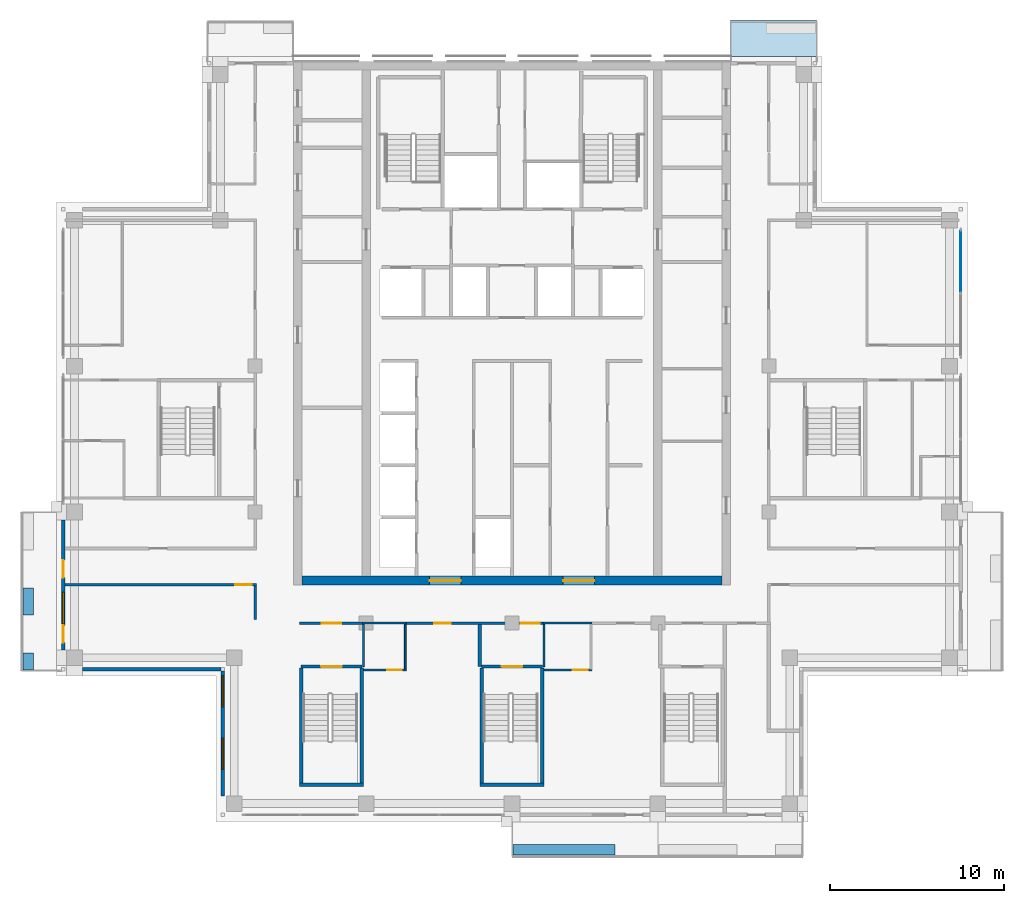
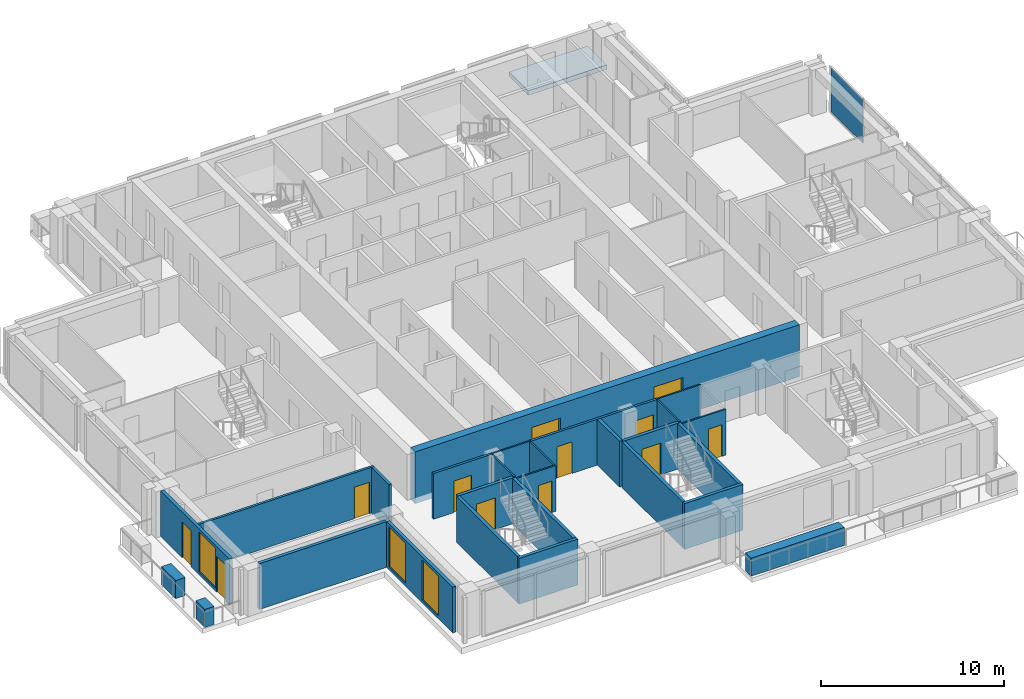
# One storey, part 8 of 17: 27 walls, 12 doors, 3 windows, 1 plate, 1 slab, 15 openings, 1 element without a shape of its own.
"""IFC4 building model written with IfcOpenShell, lengths in metres."""

from ifc_helpers import new_model, si_unit, direction, frame, frame_2d, origin, origin_2d, place, context, subcontext, project, spatial, polyline, rectangle, outline, extrude, material, layer, layer_set, type_object, element, fill, aggregate, save


model = new_model("IFC4")

# Units and contexts
model_context = context("Model", 3, precision=1e-05, world=origin(), true_north=direction((0.0, 1.0)))
body_context = subcontext(model_context, "Body", "Model", "MODEL_VIEW")
ifc_project = project(units=[si_unit("LENGTHUNIT", "METRE"), si_unit("AREAUNIT", "SQUARE_METRE"), si_unit("VOLUMEUNIT", "CUBIC_METRE"), si_unit("PLANEANGLEUNIT", "RADIAN"), si_unit("MASSUNIT", "GRAM", prefix="KILO")], contexts=[model_context])

# Site, building, storey
site_placement = place(None, origin())
site = spatial("IfcSite", under=ifc_project, at=site_placement, CompositionType="ELEMENT")
building_placement = place(site_placement, origin())
building = spatial("IfcBuilding", under=site, at=building_placement, Name="Vermilion Ogive Tower", CompositionType="ELEMENT")
storey_placement = place(building_placement, frame((0.0, 0.0, 257.949951171875)))
storey = spatial("IfcBuildingStorey", under=building, at=storey_placement, Name="L68", CompositionType="ELEMENT", Elevation=257.949951171875)

# Slab
ifc_material_1 = material(Name="Concrete B40", Category="concrete")
ifc_layer_1 = layer(ifc_material_1, 0.300048828125)
ifc_layer_set_1 = layer_set([ifc_layer_1], Name="Balcony slab")
slab_type = type_object("IfcSlabType", Name="Balcony slab", PredefinedType="FLOOR", material=ifc_layer_set_1)
slab_placement = place(storey_placement, frame((0.0, 0.0, -0.33984375)))
element("IfcSlab", 1, at=slab_placement, inside=storey, type_object=slab_type, Name="Balcony slab N101", PredefinedType="FLOOR", context=body_context, shape_type="SweptSolid", body=[
    extrude(outline(polyline([(17.550048828125, 24.140869140625), (12.60009765625, 24.140869140625), (12.60009765625, 22.050048828125), (17.550048828125, 22.050048828125), (17.550048828125, 24.140869140625)])), origin(), (0.0, 0.0, 1.0), 0.2998046875),
])

# Curtain wall, plate
ifc_material_2 = material(Name="Low-iron laminated glazing in aluminium frame", Category="aluminium")
curtain_wall_type = type_object("IfcCurtainWallType", Name="Curtain wall CW7", PredefinedType="NOTDEFINED", material=ifc_material_2)
curtain_wall_placement = place(storey_placement, origin())
curtain_wall = element("IfcCurtainWall", 2, at=curtain_wall_placement, inside=storey, type_object=curtain_wall_type, Name="Glazed skin E3", PredefinedType="NOTDEFINED")
ifc_material_3 = material(Name="Low-iron laminated glazing in aluminium frame", Category="aluminium")
ifc_layer_2 = layer(ifc_material_3, 0.031982421875)
ifc_layer_set_2 = layer_set([ifc_layer_2], Name="CW7 glazing panel 32")
plate_type = type_object("IfcPlateType", Name="CW7 glazing panel 32", PredefinedType="CURTAIN_PANEL", material=ifc_layer_set_2)
plate_placement = place(storey_placement, frame((25.85009765625, 10.22998046875, 0.06005859375), z_axis=(0.0, 0.0, 1.0), x_axis=(0.0, 1.0, 0.0)))
plate = element("IfcPlate", 3, at=plate_placement, type_object=plate_type, Name="CW7-E3 panel 2.1", PredefinedType="CURTAIN_PANEL", context=body_context, shape_type="SweptSolid", body=[
    extrude(rectangle(XDim=3.47998046875, YDim=0.031982421875, at=origin_2d()), origin(), (0.0, 0.0, 1.0), 2.929931640625),
])
aggregate(curtain_wall, [plate])

# Wall, openings, doors
ifc_material_4 = material(Name="Concrete B60", Category="concrete")
ifc_layer_3 = layer(ifc_material_4, 0.5)
ifc_layer_set_3 = layer_set([ifc_layer_3], Name="Core wall 500 B60")
wall_type_1 = type_object("IfcWallType", Name="Core wall 500 B60", PredefinedType="SHEAR", material=ifc_layer_set_3)
wall_1_placement = place(storey_placement, frame((-12.10009765625, -8.14990234375, -0.39990234375), z_axis=(0.0, 0.0, 1.0), x_axis=(1.0, 0.0, 0.0)))
wall_1 = element("IfcWall", 4, at=wall_1_placement, inside=storey, type_object=wall_type_1, Name="L68-CORE-S", PredefinedType="SHEAR", context=body_context, shape_type="SweptSolid", body=[
    extrude(rectangle(XDim=24.2001953125, YDim=0.5, at=frame_2d((12.10009765625, 0.0))), origin(), (0.0, 0.0, 1.0), 3.449951171875),
])
opening_1_placement = place(wall_1_placement, frame((7.35009765625, 0.0, 0.39990234375)))
opening_1 = element("IfcOpeningElement", 5, at=opening_1_placement, cuts=wall_1, Name="Opening DAH055", PredefinedType="OPENING", context=body_context, shape_type="SweptSolid", body=[
    extrude(rectangle(XDim=1.800048828125, YDim=2.10009765625, at=frame_2d((0.89990234375, 1.050048828125))), frame((0.0, 0.260009765625, 0.0), z_axis=(0.0, -1.0, 0.0), x_axis=(1.0, 0.0, 0.0)), (0.0, 0.0, 1.0), 0.52001953125),
])
opening_2_placement = place(wall_1_placement, frame((15.050048828125, 0.0, 0.39990234375)))
opening_2 = element("IfcOpeningElement", 6, at=opening_2_placement, cuts=wall_1, Name="Opening DAH056", PredefinedType="OPENING", context=body_context, shape_type="SweptSolid", body=[
    extrude(rectangle(XDim=1.800048828125, YDim=2.10009765625, at=frame_2d((0.89990234375, 1.050048828125))), frame((0.0, 0.260009765625, 0.0), z_axis=(0.0, -1.0, 0.0), x_axis=(1.0, 0.0, 0.0)), (0.0, 0.0, 1.0), 0.52001953125),
])
ifc_material_5 = material(Name="Timber door leaf", Category="wood")
door_type_1 = type_object("IfcDoorType", Name="Core entry door 1800 x 2100 FD60S", OperationType="DOUBLE_DOOR_SINGLE_SWING", PredefinedType="DOOR", material=ifc_material_5)
door_1_placement = place(opening_1_placement, origin())
door_1 = element("IfcDoor", 7, at=door_1_placement, inside=storey, type_object=door_type_1, Name="L68-CK-XD1", OperationType="SINGLE_SWING_LEFT", OverallHeight=2.10009765625, OverallWidth=1.800048828125, PredefinedType="DOOR", context=body_context, shape_type="SweptSolid", body=[
    extrude(rectangle(XDim=1.800048828125, YDim=2.10009765625, at=frame_2d((0.89990234375, 1.050048828125))), frame((0.0, 0.02490234375, 0.0), z_axis=(0.0, -1.0, 0.0), x_axis=(1.0, 0.0, 0.0)), (0.0, 0.0, 1.0), 0.050048828125),
])
fill(opening_1, door_1)
door_2_placement = place(opening_2_placement, origin())
door_2 = element("IfcDoor", 8, at=door_2_placement, inside=storey, type_object=door_type_1, Name="L68-CK-XD2", OperationType="SINGLE_SWING_LEFT", OverallHeight=2.10009765625, OverallWidth=1.800048828125, PredefinedType="DOOR", context=body_context, shape_type="SweptSolid", body=[
    extrude(rectangle(XDim=1.800048828125, YDim=2.10009765625, at=frame_2d((0.89990234375, 1.050048828125))), frame((0.0, 0.02490234375, 0.0), z_axis=(0.0, -1.0, 0.0), x_axis=(1.0, 0.0, 0.0)), (0.0, 0.0, 1.0), 0.050048828125),
])
fill(opening_2, door_2)

# Wall, opening, door
ifc_material_6 = material(Name="Gypsum board partition on steel studs", Category="steel")
ifc_layer_4 = layer(ifc_material_6, 0.10009765625)
ifc_layer_set_4 = layer_set([ifc_layer_4], Name="Partition 100 bath")
wall_type_2 = type_object("IfcWallType", Name="Partition 100 bath", PredefinedType="PARTITIONING", material=ifc_layer_set_4)
wall_2_placement = place(storey_placement, frame((-8.550048828125, -13.300048828125, 0.0), z_axis=(0.0, 0.0, 1.0), x_axis=(1.0, 0.0, 0.0)))
wall_2 = element("IfcWall", 9, at=wall_2_placement, inside=storey, type_object=wall_type_2, Name="L68-W-W003", PredefinedType="PARTITIONING", context=body_context, shape_type="SweptSolid", body=[
    extrude(rectangle(XDim=2.449951171875, YDim=0.10009765625, at=frame_2d((1.22509765625, 0.0))), origin(), (0.0, 0.0, 1.0), 3.050048828125),
])
opening_3_placement = place(wall_2_placement, frame((1.35009765625, 0.0, 0.0)))
opening_3 = element("IfcOpeningElement", 10, at=opening_3_placement, cuts=wall_2, Name="Opening D5G5010", PredefinedType="OPENING", context=body_context, shape_type="SweptSolid", body=[
    extrude(rectangle(XDim=0.85009765625, YDim=2.10009765625, at=frame_2d((0.425048828125, 1.050048828125))), frame((0.0, 0.06005859375, 0.0), z_axis=(0.0, -1.0, 0.0), x_axis=(1.0, 0.0, 0.0)), (0.0, 0.0, 1.0), 0.1201171875),
])
ifc_material_7 = material(Name="Timber door leaf", Category="wood")
door_type_2 = type_object("IfcDoorType", Name="Bath door 850 x 2100 FD30", OperationType="SINGLE_SWING_LEFT", PredefinedType="DOOR", material=ifc_material_7)
door_3_placement = place(opening_3_placement, origin())
door_3 = element("IfcDoor", 11, at=door_3_placement, inside=storey, type_object=door_type_2, Name="L68-D-D010", OperationType="SINGLE_SWING_LEFT", OverallHeight=2.10009765625, OverallWidth=0.85009765625, PredefinedType="DOOR", context=body_context, shape_type="SweptSolid", body=[
    extrude(rectangle(XDim=0.85009765625, YDim=2.10009765625, at=frame_2d((0.425048828125, 1.050048828125))), frame((0.0, 0.02490234375, 0.0), z_axis=(0.0, -1.0, 0.0), x_axis=(1.0, 0.0, 0.0)), (0.0, 0.0, 1.0), 0.050048828125),
])
fill(opening_3, door_3)

wall_3_placement = place(storey_placement, frame((1.85009765625, -13.300048828125, 0.0), z_axis=(0.0, 0.0, 1.0), x_axis=(1.0, 0.0, 0.0)))
wall_3 = element("IfcWall", 12, at=wall_3_placement, inside=storey, type_object=wall_type_2, Name="L68-W-W004", PredefinedType="PARTITIONING", context=body_context, shape_type="SweptSolid", body=[
    extrude(rectangle(XDim=2.747802734375, YDim=0.10009765625, at=frame_2d((1.3740234375, 0.0))), origin(), (0.0, 0.0, 1.0), 3.050048828125),
])
opening_4_placement = place(wall_3_placement, frame((1.64990234375, 0.0, 0.0)))
opening_4 = element("IfcOpeningElement", 13, at=opening_4_placement, cuts=wall_3, Name="Opening D5G5012", PredefinedType="OPENING", context=body_context, shape_type="SweptSolid", body=[
    extrude(rectangle(XDim=0.85009765625, YDim=2.10009765625, at=frame_2d((0.425048828125, 1.050048828125))), frame((0.0, 0.06005859375, 0.0), z_axis=(0.0, -1.0, 0.0), x_axis=(1.0, 0.0, 0.0)), (0.0, 0.0, 1.0), 0.1201171875),
])
door_4_placement = place(opening_4_placement, origin())
door_4 = element("IfcDoor", 14, at=door_4_placement, inside=storey, type_object=door_type_2, Name="L68-D-D012", OperationType="SINGLE_SWING_RIGHT", OverallHeight=2.10009765625, OverallWidth=0.85009765625, PredefinedType="DOOR", context=body_context, shape_type="SweptSolid", body=[
    extrude(rectangle(XDim=0.85009765625, YDim=2.10009765625, at=frame_2d((0.425048828125, 1.050048828125))), frame((0.0, 0.02490234375, 0.0), z_axis=(0.0, -1.0, 0.0), x_axis=(1.0, 0.0, 0.0)), (0.0, 0.0, 1.0), 0.050048828125),
])
fill(opening_4, door_4)

# Walls
wall_4_placement = place(storey_placement, frame((-8.60009765625, -10.60009765625, 0.0), z_axis=(0.0, 0.0, 1.0), x_axis=(1.0, 0.0, 0.0)))
element("IfcWall", 15, at=wall_4_placement, inside=storey, type_object=wall_type_2, Name="L68-W-W009", PredefinedType="PARTITIONING", context=body_context, shape_type="SweptSolid", body=[
    extrude(rectangle(XDim=2.5, YDim=0.10009765625, at=frame_2d((1.25, 0.0))), origin(), (0.0, 0.0, 1.0), 3.050048828125),
])
wall_5_placement = place(storey_placement, frame((1.800048828125, -10.60009765625, 0.0), z_axis=(0.0, 0.0, 1.0), x_axis=(1.0, 0.0, 0.0)))
element("IfcWall", 16, at=wall_5_placement, inside=storey, type_object=wall_type_2, Name="L68-W-W011", PredefinedType="PARTITIONING", context=body_context, shape_type="SweptSolid", body=[
    extrude(rectangle(XDim=2.800048828125, YDim=0.10009765625, at=frame_2d((1.39990234375, 0.0))), origin(), (0.0, 0.0, 1.0), 3.050048828125),
])
wall_6_placement = place(storey_placement, frame((-8.550048828125, -13.10009765625, 0.0), z_axis=(0.0, 0.0, 1.0), x_axis=(0.0, 1.0, 0.0)))
element("IfcWall", 17, at=wall_6_placement, inside=storey, type_object=wall_type_2, Name="L68-W-W048", PredefinedType="PARTITIONING", context=body_context, shape_type="SweptSolid", body=[
    extrude(rectangle(XDim=2.425048828125, YDim=0.10009765625, at=frame_2d((1.21240234375, 0.0))), origin(), (0.0, 0.0, 1.0), 3.050048828125),
])
wall_7_placement = place(storey_placement, frame((-6.14990234375, -13.25, 0.0), z_axis=(0.0, 0.0, 1.0), x_axis=(0.0, 1.0, 0.0)))
element("IfcWall", 18, at=wall_7_placement, inside=storey, type_object=wall_type_2, Name="L68-W-W049", PredefinedType="PARTITIONING", context=body_context, shape_type="SweptSolid", body=[
    extrude(rectangle(XDim=2.574951171875, YDim=0.10009765625, at=frame_2d((1.28759765625, 0.0))), origin(), (0.0, 0.0, 1.0), 3.050048828125),
])
wall_8_placement = place(storey_placement, frame((1.85009765625, -13.10009765625, 0.0), z_axis=(0.0, 0.0, 1.0), x_axis=(0.0, 1.0, 0.0)))
element("IfcWall", 19, at=wall_8_placement, inside=storey, type_object=wall_type_2, Name="L68-W-W051", PredefinedType="PARTITIONING", context=body_context, shape_type="SweptSolid", body=[
    extrude(rectangle(XDim=2.425048828125, YDim=0.10009765625, at=frame_2d((1.21240234375, 0.0))), origin(), (0.0, 0.0, 1.0), 3.050048828125),
])

# Wall, opening, door
ifc_material_8 = material(Name="Gypsum board partition on steel studs", Category="steel")
ifc_layer_5 = layer(ifc_material_8, 0.14990234375)
ifc_layer_set_5 = layer_set([ifc_layer_5], Name="Partition 150 corridor")
wall_type_3 = type_object("IfcWallType", Name="Partition 150 corridor", PredefinedType="PARTITIONING", material=ifc_layer_set_5)
wall_9_placement = place(storey_placement, frame((-12.25, -10.60009765625, 0.0), z_axis=(0.0, 0.0, 1.0), x_axis=(1.0, 0.0, 0.0)))
wall_9 = element("IfcWall", 20, at=wall_9_placement, inside=storey, type_object=wall_type_3, Name="L68-W-W008", PredefinedType="PARTITIONING", context=body_context, shape_type="SweptSolid", body=[
    extrude(rectangle(XDim=3.75, YDim=0.14990234375, at=frame_2d((1.875, 0.0))), origin(), (0.0, 0.0, 1.0), 3.050048828125),
])
opening_5_placement = place(wall_9_placement, frame((1.300048828125, 0.0, 0.0)))
opening_5 = element("IfcOpeningElement", 21, at=opening_5_placement, cuts=wall_9, Name="Opening D5G5021", PredefinedType="OPENING", context=body_context, shape_type="SweptSolid", body=[
    extrude(rectangle(XDim=1.10009765625, YDim=2.10009765625, at=frame_2d((0.550048828125, 1.050048828125))), frame((0.0, 0.0849609375, 0.0), z_axis=(0.0, -1.0, 0.0), x_axis=(1.0, 0.0, 0.0)), (0.0, 0.0, 1.0), 0.169921875),
])
ifc_material_9 = material(Name="Timber door leaf", Category="wood")
door_type_3 = type_object("IfcDoorType", Name="Stair door 1100 x 2100 FD60S", OperationType="SINGLE_SWING_LEFT", PredefinedType="DOOR", material=ifc_material_9)
door_5_placement = place(opening_5_placement, origin())
door_5 = element("IfcDoor", 22, at=door_5_placement, inside=storey, type_object=door_type_3, Name="L68-D-D021", OperationType="SINGLE_SWING_RIGHT", OverallHeight=2.10009765625, OverallWidth=1.10009765625, PredefinedType="DOOR", context=body_context, shape_type="SweptSolid", body=[
    extrude(rectangle(XDim=1.10009765625, YDim=2.10009765625, at=frame_2d((0.550048828125, 1.050048828125))), frame((0.0, 0.02490234375, 0.0), z_axis=(0.0, -1.0, 0.0), x_axis=(1.0, 0.0, 0.0)), (0.0, 0.0, 1.0), 0.050048828125),
])
fill(opening_5, door_5)

# Wall, openings, doors
wall_10_placement = place(storey_placement, frame((-6.199951171875, -10.60009765625, 0.0), z_axis=(0.0, 0.0, 1.0), x_axis=(1.0, 0.0, 0.0)))
wall_10 = element("IfcWall", 23, at=wall_10_placement, inside=storey, type_object=wall_type_3, Name="L68-W-W010", PredefinedType="PARTITIONING", context=body_context, shape_type="SweptSolid", body=[
    extrude(rectangle(XDim=8.099853515625, YDim=0.14990234375, at=frame_2d((4.0498046875, 0.0))), origin(), (0.0, 0.0, 1.0), 3.050048828125),
])
opening_6_placement = place(wall_10_placement, frame((1.724853515625, 0.0, 0.0)))
opening_6 = element("IfcOpeningElement", 24, at=opening_6_placement, cuts=wall_10, Name="Opening D5G5009", PredefinedType="OPENING", context=body_context, shape_type="SweptSolid", body=[
    extrude(rectangle(XDim=0.949951171875, YDim=2.10009765625, at=frame_2d((0.47509765625, 1.050048828125))), frame((0.0, 0.0849609375, 0.0), z_axis=(0.0, -1.0, 0.0), x_axis=(1.0, 0.0, 0.0)), (0.0, 0.0, 1.0), 0.169921875),
])
opening_7_placement = place(wall_10_placement, frame((6.699951171875, 0.0, 0.0)))
opening_7 = element("IfcOpeningElement", 25, at=opening_7_placement, cuts=wall_10, Name="Opening D5G5023", PredefinedType="OPENING", context=body_context, shape_type="SweptSolid", body=[
    extrude(rectangle(XDim=1.10009765625, YDim=2.10009765625, at=frame_2d((0.550048828125, 1.050048828125))), frame((0.0, 0.0849609375, 0.0), z_axis=(0.0, -1.0, 0.0), x_axis=(1.0, 0.0, 0.0)), (0.0, 0.0, 1.0), 0.169921875),
])
door_6_placement = place(opening_7_placement, origin())
door_6 = element("IfcDoor", 26, at=door_6_placement, inside=storey, type_object=door_type_3, Name="L68-D-D023", OperationType="SINGLE_SWING_LEFT", OverallHeight=2.10009765625, OverallWidth=1.10009765625, PredefinedType="DOOR", context=body_context, shape_type="SweptSolid", body=[
    extrude(rectangle(XDim=1.10009765625, YDim=2.10009765625, at=frame_2d((0.550048828125, 1.050048828125))), frame((0.0, 0.02490234375, 0.0), z_axis=(0.0, -1.0, 0.0), x_axis=(1.0, 0.0, 0.0)), (0.0, 0.0, 1.0), 0.050048828125),
])
fill(opening_7, door_6)
ifc_material_10 = material(Name="Timber door leaf", Category="wood")
door_type_4 = type_object("IfcDoorType", Name="Unit door 950 x 2100 FD30S", OperationType="SINGLE_SWING_LEFT", PredefinedType="DOOR", material=ifc_material_10)
door_7_placement = place(opening_6_placement, origin())
door_7 = element("IfcDoor", 27, at=door_7_placement, inside=storey, type_object=door_type_4, Name="L68-D-D009", OperationType="SINGLE_SWING_LEFT", OverallHeight=2.10009765625, OverallWidth=0.949951171875, PredefinedType="DOOR", context=body_context, shape_type="SweptSolid", body=[
    extrude(rectangle(XDim=0.949951171875, YDim=2.10009765625, at=frame_2d((0.47509765625, 1.050048828125))), frame((0.0, 0.02490234375, 0.0), z_axis=(0.0, -1.0, 0.0), x_axis=(1.0, 0.0, 0.0)), (0.0, 0.0, 1.0), 0.050048828125),
])
fill(opening_6, door_7)

# Wall, opening, door
wall_11_placement = place(storey_placement, frame((-25.75, -8.39990234375, 0.0), z_axis=(0.0, 0.0, 1.0), x_axis=(1.0, 0.0, 0.0)))
wall_11 = element("IfcWall", 28, at=wall_11_placement, inside=storey, type_object=wall_type_3, Name="L68-W-W014", PredefinedType="PARTITIONING", context=body_context, shape_type="SweptSolid", body=[
    extrude(rectangle(XDim=11.02490234375, YDim=0.14990234375, at=frame_2d((5.512451171875, 0.0))), origin(), (0.0, 0.0, 1.0), 3.050048828125),
])
opening_8_placement = place(wall_11_placement, frame((9.800048828125, 0.0, 0.0)))
opening_8 = element("IfcOpeningElement", 29, at=opening_8_placement, cuts=wall_11, Name="Opening D5G5001", PredefinedType="OPENING", context=body_context, shape_type="SweptSolid", body=[
    extrude(rectangle(XDim=0.949951171875, YDim=2.10009765625, at=frame_2d((0.47509765625, 1.050048828125))), frame((0.0, 0.0849609375, 0.0), z_axis=(0.0, -1.0, 0.0), x_axis=(1.0, 0.0, 0.0)), (0.0, 0.0, 1.0), 0.169921875),
])
door_8_placement = place(opening_8_placement, origin())
door_8 = element("IfcDoor", 30, at=door_8_placement, inside=storey, type_object=door_type_4, Name="L68-D-D001", OperationType="SINGLE_SWING_RIGHT", OverallHeight=2.10009765625, OverallWidth=0.949951171875, PredefinedType="DOOR", context=body_context, shape_type="SweptSolid", body=[
    extrude(rectangle(XDim=0.949951171875, YDim=2.10009765625, at=frame_2d((0.47509765625, 1.050048828125))), frame((0.0, 0.02490234375, 0.0), z_axis=(0.0, -1.0, 0.0), x_axis=(1.0, 0.0, 0.0)), (0.0, 0.0, 1.0), 0.050048828125),
])
fill(opening_8, door_8)

# Walls
wall_12_placement = place(storey_placement, frame((-14.800048828125, -10.3798828125, 0.0), z_axis=(0.0, 0.0, 1.0), x_axis=(0.0, 1.0, 0.0)))
element("IfcWall", 31, at=wall_12_placement, inside=storey, type_object=wall_type_3, Name="L68-W-W044", PredefinedType="PARTITIONING", context=body_context, shape_type="SweptSolid", body=[
    extrude(rectangle(XDim=1.90478515625, YDim=0.14990234375, at=frame_2d((0.952392578125, 0.0))), origin(), (0.0, 0.0, 1.0), 3.050048828125),
])
ifc_material_11 = material(Name="Gypsum board partition on steel studs", Category="steel")
ifc_layer_6 = layer(ifc_material_11, 0.199951171875)
ifc_layer_set_6 = layer_set([ifc_layer_6], Name="Partition 200 party")
wall_type_4 = type_object("IfcWallType", Name="Partition 200 party", PredefinedType="PARTITIONING", material=ifc_layer_set_6)
wall_13_placement = place(storey_placement, frame((-1.85009765625, -13.10009765625, 0.0), z_axis=(0.0, 0.0, 1.0), x_axis=(0.0, 1.0, 0.0)))
element("IfcWall", 32, at=wall_13_placement, inside=storey, type_object=wall_type_4, Name="L68-W-W050", PredefinedType="PARTITIONING", context=body_context, shape_type="SweptSolid", body=[
    extrude(rectangle(XDim=2.425048828125, YDim=0.199951171875, at=frame_2d((1.21240234375, 0.0))), origin(), (0.0, 0.0, 1.0), 3.050048828125),
])

# Wall, opening, door
ifc_material_12 = material(Name="Concrete B60", Category="concrete")
ifc_layer_7 = layer(ifc_material_12, 0.199951171875)
ifc_layer_set_7 = layer_set([ifc_layer_7], Name="Stair shaft wall 200 Concrete B60")
wall_type_5 = type_object("IfcWallType", Name="Stair shaft wall 200 Concrete B60", PredefinedType="SOLIDWALL", material=ifc_layer_set_7)
wall_14_placement = place(storey_placement, frame((-12.14990234375, -13.10009765625, 0.0), z_axis=(0.0, 0.0, 1.0), x_axis=(1.0, 0.0, 0.0)))
wall_14 = element("IfcWall", 33, at=wall_14_placement, inside=storey, type_object=wall_type_5, Name="L68-W-W005", PredefinedType="SOLIDWALL", context=body_context, shape_type="SweptSolid", body=[
    extrude(rectangle(XDim=3.5, YDim=0.199951171875, at=frame_2d((1.75, 0.0))), origin(), (0.0, 0.0, 1.0), 3.050048828125),
])
opening_9_placement = place(wall_14_placement, frame((1.14990234375, 0.0, 0.0)))
opening_9 = element("IfcOpeningElement", 34, at=opening_9_placement, cuts=wall_14, Name="Opening D5G5022", PredefinedType="OPENING", context=body_context, shape_type="SweptSolid", body=[
    extrude(rectangle(XDim=1.199951171875, YDim=2.10009765625, at=frame_2d((0.60009765625, 1.050048828125))), frame((0.0, 0.10986328125, 0.0), z_axis=(0.0, -1.0, 0.0), x_axis=(1.0, 0.0, 0.0)), (0.0, 0.0, 1.0), 0.219970703125),
])
ifc_material_13 = material(Name="Timber door leaf", Category="wood")
door_type_5 = type_object("IfcDoorType", Name="Stair door 1200 x 2100 FD60S", OperationType="SINGLE_SWING_LEFT", PredefinedType="DOOR", material=ifc_material_13)
door_9_placement = place(opening_9_placement, origin())
door_9 = element("IfcDoor", 35, at=door_9_placement, inside=storey, type_object=door_type_5, Name="L68-D-D022", OperationType="SINGLE_SWING_RIGHT", OverallHeight=2.10009765625, OverallWidth=1.199951171875, PredefinedType="DOOR", context=body_context, shape_type="SweptSolid", body=[
    extrude(rectangle(XDim=1.199951171875, YDim=2.10009765625, at=frame_2d((0.60009765625, 1.050048828125))), frame((0.0, 0.02490234375, 0.0), z_axis=(0.0, -1.0, 0.0), x_axis=(1.0, 0.0, 0.0)), (0.0, 0.0, 1.0), 0.050048828125),
])
fill(opening_9, door_9)

wall_15_placement = place(storey_placement, frame((-1.75, -13.10009765625, 0.0), z_axis=(0.0, 0.0, 1.0), x_axis=(1.0, 0.0, 0.0)))
wall_15 = element("IfcWall", 36, at=wall_15_placement, inside=storey, type_object=wall_type_5, Name="L68-W-W006", PredefinedType="SOLIDWALL", context=body_context, shape_type="SweptSolid", body=[
    extrude(rectangle(XDim=3.5, YDim=0.199951171875, at=frame_2d((1.75, 0.0))), origin(), (0.0, 0.0, 1.0), 3.050048828125),
])
opening_10_placement = place(wall_15_placement, frame((1.14990234375, 0.0, 0.0)))
opening_10 = element("IfcOpeningElement", 37, at=opening_10_placement, cuts=wall_15, Name="Opening D5G5024", PredefinedType="OPENING", context=body_context, shape_type="SweptSolid", body=[
    extrude(rectangle(XDim=1.199951171875, YDim=2.10009765625, at=frame_2d((0.60009765625, 1.050048828125))), frame((0.0, 0.10986328125, 0.0), z_axis=(0.0, -1.0, 0.0), x_axis=(1.0, 0.0, 0.0)), (0.0, 0.0, 1.0), 0.219970703125),
])
door_10_placement = place(opening_10_placement, origin())
door_10 = element("IfcDoor", 38, at=door_10_placement, inside=storey, type_object=door_type_5, Name="L68-D-D024", OperationType="SINGLE_SWING_RIGHT", OverallHeight=2.10009765625, OverallWidth=1.199951171875, PredefinedType="DOOR", context=body_context, shape_type="SweptSolid", body=[
    extrude(rectangle(XDim=1.199951171875, YDim=2.10009765625, at=frame_2d((0.60009765625, 1.050048828125))), frame((0.0, 0.02490234375, 0.0), z_axis=(0.0, -1.0, 0.0), x_axis=(1.0, 0.0, 0.0)), (0.0, 0.0, 1.0), 0.050048828125),
])
fill(opening_10, door_10)

# Walls
wall_16_placement = place(storey_placement, frame((-12.25, -19.89990234375, 0.0), z_axis=(0.0, 0.0, 1.0), x_axis=(1.0, 0.0, 0.0)))
element("IfcWall", 39, at=wall_16_placement, inside=storey, type_object=wall_type_5, Name="L68-SW-ST3-S1", PredefinedType="SOLIDWALL", context=body_context, shape_type="SweptSolid", body=[
    extrude(rectangle(XDim=3.699951171875, YDim=0.199951171875, at=frame_2d((1.85009765625, 0.0))), origin(), (0.0, 0.0, 1.0), 3.050048828125),
])
for number, where, z_axis, x_axis, name in (
    (40, (-12.14990234375, -19.800048828125, 0.0), (0.0, 0.0, 1.0), (0.0, 1.0, 0.0), "L68-SW-ST3-W1"),
    (41, (-8.64990234375, -19.800048828125, 0.0), (0.0, 0.0, 1.0), (0.0, 1.0, 0.0), "L68-SW-ST3-E1"),
):
    element("IfcWall", number, at=place(storey_placement, frame(where, z_axis=z_axis, x_axis=x_axis)), inside=storey, type_object=wall_type_5, Name=name, PredefinedType="SOLIDWALL", context=body_context, shape_type="SweptSolid", body=[
        extrude(rectangle(XDim=6.60009765625, YDim=0.199951171875, at=frame_2d((3.300048828125, 0.0))), origin(), (0.0, 0.0, 1.0), 3.050048828125),
    ])
wall_17_placement = place(storey_placement, frame((-1.85009765625, -19.89990234375, 0.0), z_axis=(0.0, 0.0, 1.0), x_axis=(1.0, 0.0, 0.0)))
element("IfcWall", 42, at=wall_17_placement, inside=storey, type_object=wall_type_5, Name="L68-SW-ST4-S1", PredefinedType="SOLIDWALL", context=body_context, shape_type="SweptSolid", body=[
    extrude(rectangle(XDim=3.7001953125, YDim=0.199951171875, at=frame_2d((1.85009765625, 0.0))), origin(), (0.0, 0.0, 1.0), 3.050048828125),
])
for number, where, z_axis, x_axis, name in (
    (43, (-1.75, -19.800048828125, 0.0), (0.0, 0.0, 1.0), (0.0, 1.0, 0.0), "L68-SW-ST4-W1"),
    (44, (1.75, -19.800048828125, 0.0), (0.0, 0.0, 1.0), (0.0, 1.0, 0.0), "L68-SW-ST4-E1"),
):
    element("IfcWall", number, at=place(storey_placement, frame(where, z_axis=z_axis, x_axis=x_axis)), inside=storey, type_object=wall_type_5, Name=name, PredefinedType="SOLIDWALL", context=body_context, shape_type="SweptSolid", body=[
        extrude(rectangle(XDim=6.60009765625, YDim=0.199951171875, at=frame_2d((3.300048828125, 0.0))), origin(), (0.0, 0.0, 1.0), 3.050048828125),
    ])
ifc_material_14 = material(Name="Concrete B40", Category="concrete")
ifc_layer_8 = layer(ifc_material_14, 0.60009765625)
ifc_layer_set_8 = layer_set([ifc_layer_8], Name="Structural planter")
wall_type_6 = type_object("IfcWallType", Name="Structural planter", PredefinedType="USERDEFINED", material=ifc_layer_set_8)
wall_18_placement = place(storey_placement, frame((0.06005859375, -23.660888671875, -0.0400390625), z_axis=(0.0, 0.0, 1.0), x_axis=(1.0, 0.0, 0.0)))
element("IfcWall", 45, at=wall_18_placement, inside=storey, type_object=wall_type_6, Name="Planter S03A1", ObjectType="PLANTER", PredefinedType="USERDEFINED", context=body_context, shape_type="SweptSolid", body=[
    extrude(rectangle(XDim=5.864990234375, YDim=0.60009765625, at=frame_2d((2.9326171875, 0.0))), origin(), (0.0, 0.0, 1.0), 1.2001953125),
])
wall_19_placement = place(storey_placement, frame((-27.86083984375, -8.574951171875, -0.0400390625), z_axis=(0.0, 0.0, 1.0), x_axis=(0.0, -1.0, 0.0)))
element("IfcWall", 46, at=wall_19_placement, inside=storey, type_object=wall_type_6, Name="Planter W03A2", ObjectType="PLANTER", PredefinedType="USERDEFINED", context=body_context, shape_type="SweptSolid", body=[
    extrude(rectangle(XDim=1.550048828125, YDim=0.60009765625, at=frame_2d((0.77490234375, 0.0))), origin(), (0.0, 0.0, 1.0), 1.2001953125),
])
wall_20_placement = place(storey_placement, frame((-27.86083984375, -12.324951171875, -0.0400390625), z_axis=(0.0, 0.0, 1.0), x_axis=(0.0, -1.0, 0.0)))
element("IfcWall", 47, at=wall_20_placement, inside=storey, type_object=wall_type_6, Name="Planter W03A3", ObjectType="PLANTER", PredefinedType="USERDEFINED", context=body_context, shape_type="SweptSolid", body=[
    extrude(rectangle(XDim=0.965087890625, YDim=0.60009765625, at=frame_2d((0.482421875, 0.0))), origin(), (0.0, 0.0, 1.0), 1.2001953125),
])

# Wall, openings, doors, window
ifc_material_15 = material(Name="Aluminium window wall framing", Category="aluminium")
ifc_layer_9 = layer(ifc_material_15, 0.199951171875)
ifc_layer_set_9 = layer_set([ifc_layer_9], Name="Window wall")
wall_type_7 = type_object("IfcWallType", Name="Window wall", PredefinedType="STANDARD", material=ifc_layer_set_9)
wall_21_placement = place(storey_placement, frame((-25.85009765625, -4.64990234375, 0.0), z_axis=(0.0, 0.0, 1.0), x_axis=(0.0, -1.0, 0.0)))
wall_21 = element("IfcWall", 48, at=wall_21_placement, inside=storey, type_object=wall_type_7, Name="Window wall W3", PredefinedType="STANDARD", context=body_context, shape_type="SweptSolid", body=[
    extrude(rectangle(XDim=7.5, YDim=0.199951171875, at=frame_2d((3.75, 0.0))), origin(), (0.0, 0.0, 1.0), 3.050048828125),
])
opening_11_placement = place(wall_21_placement, frame((4.175048828125, 0.0, 0.199951171875)))
opening_11 = element("IfcOpeningElement", 49, at=opening_11_placement, cuts=wall_21, Name="Opening W1-W97", PredefinedType="OPENING", context=body_context, shape_type="SweptSolid", body=[
    extrude(rectangle(XDim=1.800048828125, YDim=2.64990234375, at=frame_2d((0.89990234375, 1.324951171875))), frame((0.0, 0.10986328125, 0.0), z_axis=(0.0, -1.0, 0.0), x_axis=(1.0, 0.0, 0.0)), (0.0, 0.0, 1.0), 0.219970703125),
])
opening_12_placement = place(wall_21_placement, frame((6.074951171875, 0.0, 0.0)))
opening_12 = element("IfcOpeningElement", 50, at=opening_12_placement, cuts=wall_21, Name="Opening D1-W97", PredefinedType="OPENING", context=body_context, shape_type="SweptSolid", body=[
    extrude(rectangle(XDim=1.0, YDim=2.39990234375, at=frame_2d((0.5, 1.199951171875))), frame((0.0, 0.10986328125, 0.0), z_axis=(0.0, -1.0, 0.0), x_axis=(1.0, 0.0, 0.0)), (0.0, 0.0, 1.0), 0.219970703125),
])
opening_13_placement = place(wall_21_placement, frame((2.324951171875, 0.0, 0.0)))
opening_13 = element("IfcOpeningElement", 51, at=opening_13_placement, cuts=wall_21, Name="Opening D1-W98", PredefinedType="OPENING", context=body_context, shape_type="SweptSolid", body=[
    extrude(rectangle(XDim=1.0, YDim=2.39990234375, at=frame_2d((0.5, 1.199951171875))), frame((0.0, 0.10986328125, 0.0), z_axis=(0.0, -1.0, 0.0), x_axis=(1.0, 0.0, 0.0)), (0.0, 0.0, 1.0), 0.219970703125),
])
ifc_material_16 = material(Name="Aluminium framed glazed door", Category="aluminium")
door_type_6 = type_object("IfcDoorType", Name="Balcony door D1", OperationType="SINGLE_SWING_LEFT", PredefinedType="DOOR", material=ifc_material_16)
door_11_placement = place(opening_12_placement, origin())
door_11 = element("IfcDoor", 52, at=door_11_placement, inside=storey, type_object=door_type_6, Name="Balcony door W97", OperationType="SINGLE_SWING_LEFT", OverallHeight=2.39990234375, OverallWidth=1.0, PredefinedType="DOOR", context=body_context, shape_type="SweptSolid", body=[
    extrude(rectangle(XDim=1.0, YDim=2.39990234375, at=frame_2d((0.5, 1.199951171875))), frame((0.0, 0.02490234375, 0.0), z_axis=(0.0, -1.0, 0.0), x_axis=(1.0, 0.0, 0.0)), (0.0, 0.0, 1.0), 0.050048828125),
])
fill(opening_12, door_11)
door_12_placement = place(opening_13_placement, origin())
door_12 = element("IfcDoor", 53, at=door_12_placement, inside=storey, type_object=door_type_6, Name="Balcony door W98", OperationType="SINGLE_SWING_LEFT", OverallHeight=2.39990234375, OverallWidth=1.0, PredefinedType="DOOR", context=body_context, shape_type="SweptSolid", body=[
    extrude(rectangle(XDim=1.0, YDim=2.39990234375, at=frame_2d((0.5, 1.199951171875))), frame((0.0, 0.02490234375, 0.0), z_axis=(0.0, -1.0, 0.0), x_axis=(1.0, 0.0, 0.0)), (0.0, 0.0, 1.0), 0.050048828125),
])
fill(opening_13, door_12)
ifc_material_17 = material(Name="Aluminium framed double glazing", Category="aluminium")
window_type = type_object("IfcWindowType", Name="Guest window W1", PartitioningType="SINGLE_PANEL", PredefinedType="WINDOW", material=ifc_material_17)
window_1_placement = place(opening_11_placement, origin())
window_1 = element("IfcWindow", 54, at=window_1_placement, inside=storey, type_object=window_type, Name="Window W97", OverallHeight=2.64990234375, OverallWidth=1.800048828125, PartitioningType="SINGLE_PANEL", PredefinedType="WINDOW", context=body_context, shape_type="SweptSolid", body=[
    extrude(rectangle(XDim=1.800048828125, YDim=2.64990234375, at=frame_2d((0.89990234375, 1.324951171875))), frame((0.0, 0.030029296875, 0.0), z_axis=(0.0, -1.0, 0.0), x_axis=(1.0, 0.0, 0.0)), (0.0, 0.0, 1.0), 0.06005859375),
])
fill(opening_11, window_1)

# Wall
wall_22_placement = place(storey_placement, frame((-24.75, -13.25, 0.0), z_axis=(0.0, 0.0, 1.0), x_axis=(1.0, 0.0, 0.0)))
element("IfcWall", 55, at=wall_22_placement, inside=storey, type_object=wall_type_7, Name="Window wall X71", PredefinedType="STANDARD", context=body_context, shape_type="SweptSolid", body=[
    extrude(rectangle(XDim=8.0, YDim=0.199951171875, at=frame_2d((4.0, 0.0))), origin(), (0.0, 0.0, 1.0), 3.050048828125),
])

# Wall, openings, windows
wall_23_placement = place(storey_placement, frame((-16.64990234375, -13.35009765625, 0.0), z_axis=(0.0, 0.0, 1.0), x_axis=(0.0, -1.0, 0.0)))
wall_23 = element("IfcWall", 56, at=wall_23_placement, inside=storey, type_object=wall_type_7, Name="Window wall X81", PredefinedType="STANDARD", context=body_context, shape_type="SweptSolid", body=[
    extrude(rectangle(XDim=7.199951171875, YDim=0.199951171875, at=frame_2d((3.60009765625, 0.0))), origin(), (0.0, 0.0, 1.0), 3.050048828125),
])
opening_14_placement = place(wall_23_placement, frame((3.875, 0.0, 0.199951171875)))
opening_14 = element("IfcOpeningElement", 57, at=opening_14_placement, cuts=wall_23, Name="Opening W1-X895", PredefinedType="OPENING", context=body_context, shape_type="SweptSolid", body=[
    extrude(rectangle(XDim=1.800048828125, YDim=2.64990234375, at=frame_2d((0.89990234375, 1.324951171875))), frame((0.0, 0.10986328125, 0.0), z_axis=(0.0, -1.0, 0.0), x_axis=(1.0, 0.0, 0.0)), (0.0, 0.0, 1.0), 0.219970703125),
])
opening_15_placement = place(wall_23_placement, frame((0.27490234375, 0.0, 0.199951171875)))
opening_15 = element("IfcOpeningElement", 58, at=opening_15_placement, cuts=wall_23, Name="Opening W1-X896", PredefinedType="OPENING", context=body_context, shape_type="SweptSolid", body=[
    extrude(rectangle(XDim=1.800048828125, YDim=2.64990234375, at=frame_2d((0.89990234375, 1.324951171875))), frame((0.0, 0.10986328125, 0.0), z_axis=(0.0, -1.0, 0.0), x_axis=(1.0, 0.0, 0.0)), (0.0, 0.0, 1.0), 0.219970703125),
])
window_2_placement = place(opening_14_placement, origin())
window_2 = element("IfcWindow", 59, at=window_2_placement, inside=storey, type_object=window_type, Name="Window X895", OverallHeight=2.64990234375, OverallWidth=1.800048828125, PartitioningType="SINGLE_PANEL", PredefinedType="WINDOW", context=body_context, shape_type="SweptSolid", body=[
    extrude(rectangle(XDim=1.800048828125, YDim=2.64990234375, at=frame_2d((0.89990234375, 1.324951171875))), frame((0.0, 0.030029296875, 0.0), z_axis=(0.0, -1.0, 0.0), x_axis=(1.0, 0.0, 0.0)), (0.0, 0.0, 1.0), 0.06005859375),
])
fill(opening_14, window_2)
window_3_placement = place(opening_15_placement, origin())
window_3 = element("IfcWindow", 60, at=window_3_placement, inside=storey, type_object=window_type, Name="Window X896", OverallHeight=2.64990234375, OverallWidth=1.800048828125, PartitioningType="SINGLE_PANEL", PredefinedType="WINDOW", context=body_context, shape_type="SweptSolid", body=[
    extrude(rectangle(XDim=1.800048828125, YDim=2.64990234375, at=frame_2d((0.89990234375, 1.324951171875))), frame((0.0, 0.030029296875, 0.0), z_axis=(0.0, -1.0, 0.0), x_axis=(1.0, 0.0, 0.0)), (0.0, 0.0, 1.0), 0.06005859375),
])
fill(opening_15, window_3)

save(model, "model.ifc")
